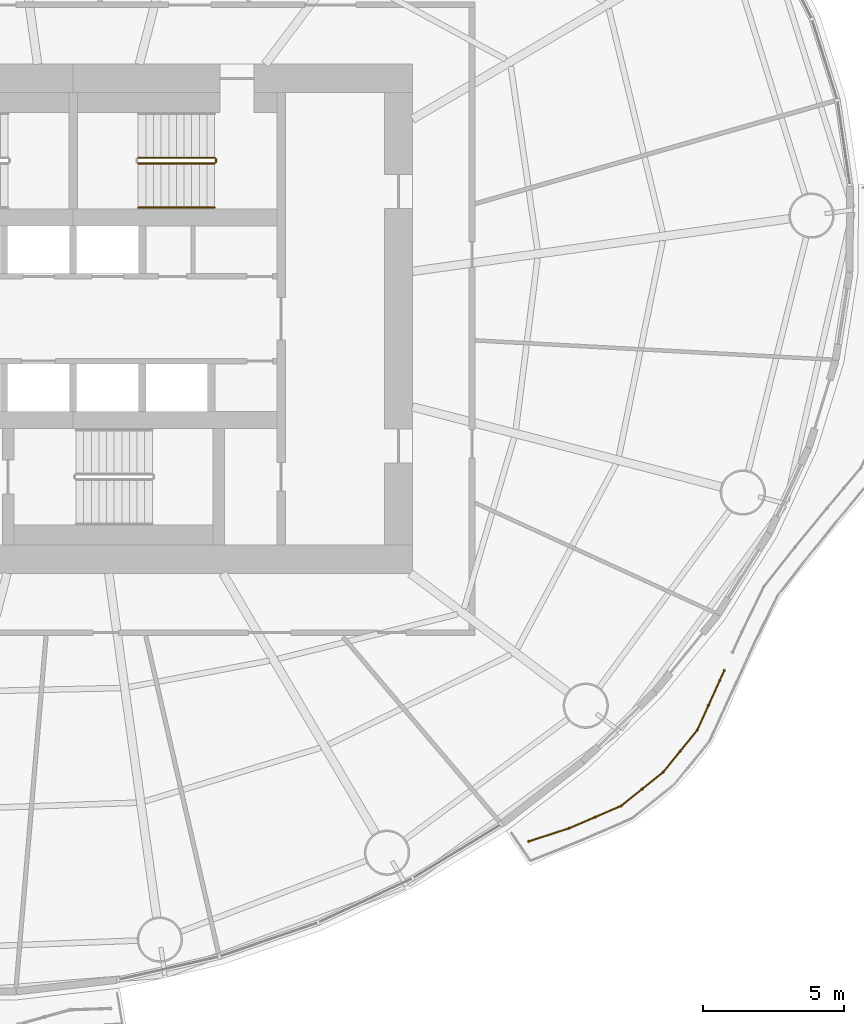
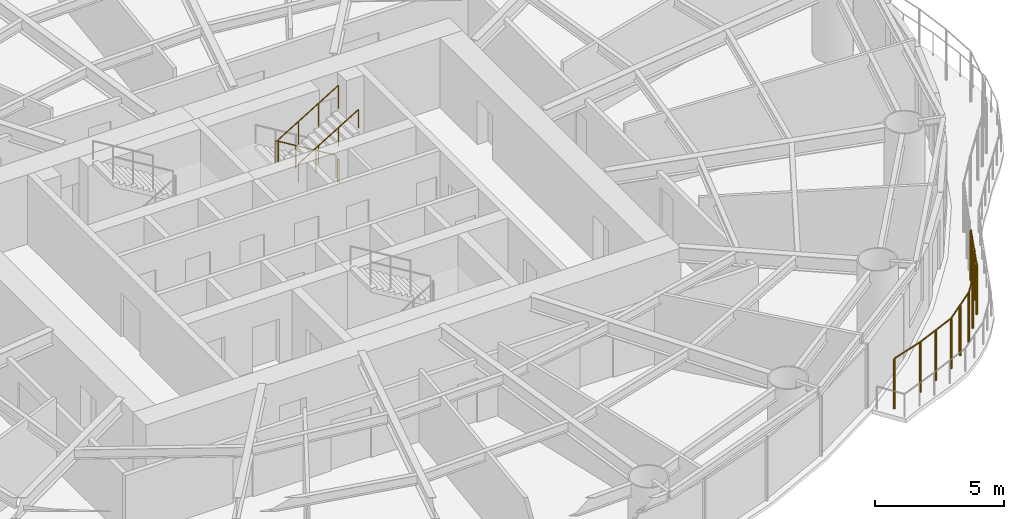
# One storey, part 13 of 15: 5 railings.
"""IFC4 building model written with IfcOpenShell, lengths in metres."""

from ifc_helpers import new_model, si_unit, direction, frame, origin, origin_2d, place, context, subcontext, project, spatial, circle, extrude, material, type_object, element, save


model = new_model("IFC4")

# Units and contexts
model_context = context("Model", 3, precision=1e-05, world=origin(), true_north=direction((0.0, 1.0)))
body_context = subcontext(model_context, "Body", "Model", "MODEL_VIEW")
ifc_project = project(units=[si_unit("LENGTHUNIT", "METRE"), si_unit("AREAUNIT", "SQUARE_METRE"), si_unit("VOLUMEUNIT", "CUBIC_METRE"), si_unit("PLANEANGLEUNIT", "RADIAN"), si_unit("MASSUNIT", "GRAM", prefix="KILO")], contexts=[model_context])

# Site, building, storey
site_placement = place(None, origin())
site = spatial("IfcSite", under=ifc_project, at=site_placement, CompositionType="ELEMENT")
building_placement = place(site_placement, origin())
building = spatial("IfcBuilding", under=site, at=building_placement, Name="Vermilion Reach Broadcast Tower", CompositionType="ELEMENT")
storey_placement = place(building_placement, frame((0.0, 0.0, 121.0)))
storey = spatial("IfcBuildingStorey", under=building, at=storey_placement, Name="L28", CompositionType="ELEMENT", Elevation=121.0)

# Railings
ifc_material_1 = material(Name="Terracotta baguette", Category="masonry")
railing_type_1 = type_object("IfcRailingType", Name="BAGUETTE SCREEN", PredefinedType="USERDEFINED", material=ifc_material_1)
railing_1_placement = place(storey_placement, frame((10.100341796875, -18.482666015625, 0.0)))
element("IfcRailing", 1, at=railing_1_placement, inside=storey, type_object=railing_type_1, Name="Baguette screen L28 group 4 part 1", ObjectType="BAGUETTE SCREEN", PredefinedType="USERDEFINED", context=body_context, shape_type="SweptSolid", body=[
    extrude(circle(Radius=0.030029296875, at=origin_2d()), frame((0.0, 0.0, 2.369873046875), z_axis=(0.951125417958, 0.308804856365, 0.0), x_axis=(-0.308804856365, 0.951125417958, 0.0)), (0.0, 0.0, 1.0), 1.51171875),
    extrude(circle(Radius=0.030029296875, at=origin_2d()), frame((1.437744140625, 0.466796875, 2.369873046875), z_axis=(0.918796254474, 0.394732115192, 0.0), x_axis=(-0.394732115192, 0.918796254474, 0.0)), (0.0, 0.0, 1.0), 1.993408203125),
    extrude(circle(Radius=0.030029296875, at=origin_2d()), frame((3.269287109375, 1.253662109375, 2.369873046875), z_axis=(0.780394915784, 0.625286954461, 0.0), x_axis=(-0.625286954461, 0.780394915784, 0.0)), (0.0, 0.0, 1.0), 1.910888671875),
    extrude(circle(Radius=0.030029296875, at=origin_2d()), frame((4.760498046875, 2.448486328125, 2.369873046875), z_axis=(0.629993028803, 0.776600787831, 0.0), x_axis=(-0.776600787831, 0.629993028803, 0.0)), (0.0, 0.0, 1.0), 1.916748046875),
    extrude(circle(Radius=0.030029296875, at=origin_2d()), frame((5.968017578125, 3.93701171875, 2.369873046875), z_axis=(0.412145387856, 0.911118092933, 0.0), x_axis=(-0.911118092933, 0.412145387856, 0.0)), (0.0, 0.0, 1.0), 1.931640625),
    extrude(circle(Radius=0.030029296875, at=origin_2d()), frame((6.76416015625, 5.697021484375, 2.369873046875), z_axis=(0.41351709457, 0.910496355017, 0.0), x_axis=(-0.910496355017, 0.41351709457, 0.0)), (0.0, 0.0, 1.0), 0.38623046875),
    extrude(circle(Radius=0.050048828125, at=origin_2d()), origin(), (0.0, 0.0, 1.0), 2.33984375),
    extrude(circle(Radius=0.050048828125, at=origin_2d()), frame((1.437744140625, 0.466796875, 0.0)), (0.0, 0.0, 1.0), 2.33984375),
    extrude(circle(Radius=0.050048828125, at=origin_2d()), frame((2.353515625, 0.8603515625, 0.0)), (0.0, 0.0, 1.0), 2.33984375),
    extrude(circle(Radius=0.050048828125, at=origin_2d()), frame((3.269287109375, 1.253662109375, 0.0)), (0.0, 0.0, 1.0), 2.33984375),
    extrude(circle(Radius=0.050048828125, at=origin_2d()), frame((4.014892578125, 1.85107421875, 0.0)), (0.0, 0.0, 1.0), 2.33984375),
    extrude(circle(Radius=0.050048828125, at=origin_2d()), frame((4.760498046875, 2.448486328125, 0.0)), (0.0, 0.0, 1.0), 2.33984375),
    extrude(circle(Radius=0.050048828125, at=origin_2d()), frame((5.3642578125, 3.19287109375, 0.0)), (0.0, 0.0, 1.0), 2.33984375),
    extrude(circle(Radius=0.050048828125, at=origin_2d()), frame((5.968017578125, 3.93701171875, 0.0)), (0.0, 0.0, 1.0), 2.33984375),
    extrude(circle(Radius=0.050048828125, at=origin_2d()), frame((6.3662109375, 4.81689453125, 0.0)), (0.0, 0.0, 1.0), 2.33984375),
    extrude(circle(Radius=0.050048828125, at=origin_2d()), frame((6.76416015625, 5.697021484375, 0.0)), (0.0, 0.0, 1.0), 2.33984375),
    extrude(circle(Radius=0.050048828125, at=origin_2d()), frame((6.923828125, 6.048583984375, 0.0)), (0.0, 0.0, 1.0), 2.33984375),
])
ifc_material_2 = material(Name="Stainless steel", Category="steel")
railing_type_2 = type_object("IfcRailingType", Name="Stair guard 1100", PredefinedType="GUARDRAIL", material=ifc_material_2)
railing_2_placement = place(storey_placement, frame((-1.0, 5.68994140625, 0.16357421875)))
element("IfcRailing", 2, at=railing_2_placement, inside=storey, type_object=railing_type_2, Name="L28 ST2 stair guard 1", PredefinedType="GUARDRAIL", context=body_context, shape_type="SweptSolid", body=[
    extrude(circle(Radius=0.02392578125, at=origin_2d()), frame((0.0, 0.0, 1.076171875), z_axis=(-0.855178096276, 0.0, 0.518334277904), x_axis=(0.0, -1.0, 0.0)), (0.0, 0.0, 1.0), 3.1572265625),
    extrude(circle(Radius=0.02099609375, at=origin_2d()), origin(), (0.0, 0.0, 1.0), 1.052001953125),
    extrude(circle(Radius=0.02099609375, at=origin_2d()), frame((-0.89990234375, 0.0, 0.54541015625)), (0.0, 0.0, 1.0), 1.052001953125),
    extrude(circle(Radius=0.02099609375, at=origin_2d()), frame((-1.800048828125, 0.0, 1.091064453125)), (0.0, 0.0, 1.0), 1.052001953125),
    extrude(circle(Radius=0.02099609375, at=origin_2d()), frame((-2.699951171875, 0.0, 1.636474609375)), (0.0, 0.0, 1.0), 1.052001953125),
])
railing_3_placement = place(storey_placement, frame((-3.699951171875, 5.489990234375, 1.963623046875)))
element("IfcRailing", 3, at=railing_3_placement, inside=storey, type_object=railing_type_2, Name="L28 ST2 stair guard 3", PredefinedType="GUARDRAIL", context=body_context, shape_type="SweptSolid", body=[
    extrude(circle(Radius=0.02392578125, at=origin_2d()), frame((0.0, 0.0, 1.076171875), z_axis=(0.855178096276, 0.0, 0.518334277904), x_axis=(0.0, 1.0, 0.0)), (0.0, 0.0, 1.0), 3.1572265625),
    extrude(circle(Radius=0.02099609375, at=origin_2d()), origin(), (0.0, 0.0, 1.0), 1.052001953125),
    extrude(circle(Radius=0.02099609375, at=origin_2d()), frame((0.89990234375, 0.0, 0.54541015625)), (0.0, 0.0, 1.0), 1.052001953125),
    extrude(circle(Radius=0.02099609375, at=origin_2d()), frame((1.800048828125, 0.0, 1.091064453125)), (0.0, 0.0, 1.0), 1.052001953125),
    extrude(circle(Radius=0.02099609375, at=origin_2d()), frame((2.699951171875, 0.0, 1.636474609375)), (0.0, 0.0, 1.0), 1.052001953125),
])
railing_4_placement = place(storey_placement, frame((-0.949951171875, 5.639892578125, 0.0)))
element("IfcRailing", 4, at=railing_4_placement, inside=storey, type_object=railing_type_2, Name="L28 ST2 stair guard 4", PredefinedType="GUARDRAIL", context=body_context, shape_type="SweptSolid", body=[
    extrude(circle(Radius=0.02392578125, at=origin_2d()), frame((0.0, 0.0, 1.076171875), z_axis=(0.0, -1.0, 0.0), x_axis=(1.0, 0.0, 0.0)), (0.0, 0.0, 1.0), 0.099853515625),
    extrude(circle(Radius=0.02099609375, at=origin_2d()), origin(), (0.0, 0.0, 1.0), 1.052001953125),
    extrude(circle(Radius=0.02099609375, at=origin_2d()), frame((0.0, -0.099853515625, 0.0)), (0.0, 0.0, 1.0), 1.052001953125),
])
ifc_material_3 = material(Name="Stainless steel", Category="steel")
railing_type_3 = type_object("IfcRailingType", Name="Stair handrail", PredefinedType="HANDRAIL", material=ifc_material_3)
railing_5_placement = place(storey_placement, frame((-3.699951171875, 3.929931640625, 1.963623046875)))
element("IfcRailing", 5, at=railing_5_placement, inside=storey, type_object=railing_type_3, Name="L28 ST2 stair handrail 2", PredefinedType="HANDRAIL", context=body_context, shape_type="SweptSolid", body=[
    extrude(circle(Radius=0.02392578125, at=origin_2d()), frame((0.0, 0.0, 0.8759765625), z_axis=(0.855178096276, 0.0, 0.518334277904), x_axis=(0.0, 1.0, 0.0)), (0.0, 0.0, 1.0), 3.1572265625),
    extrude(circle(Radius=0.02099609375, at=origin_2d()), origin(), (0.0, 0.0, 1.0), 0.851806640625),
    extrude(circle(Radius=0.02099609375, at=origin_2d()), frame((0.89990234375, 0.0, 0.54541015625)), (0.0, 0.0, 1.0), 0.851806640625),
    extrude(circle(Radius=0.02099609375, at=origin_2d()), frame((1.800048828125, 0.0, 1.091064453125)), (0.0, 0.0, 1.0), 0.851806640625),
    extrude(circle(Radius=0.02099609375, at=origin_2d()), frame((2.699951171875, 0.0, 1.636474609375)), (0.0, 0.0, 1.0), 0.851806640625),
])

save(model, "model.ifc")
